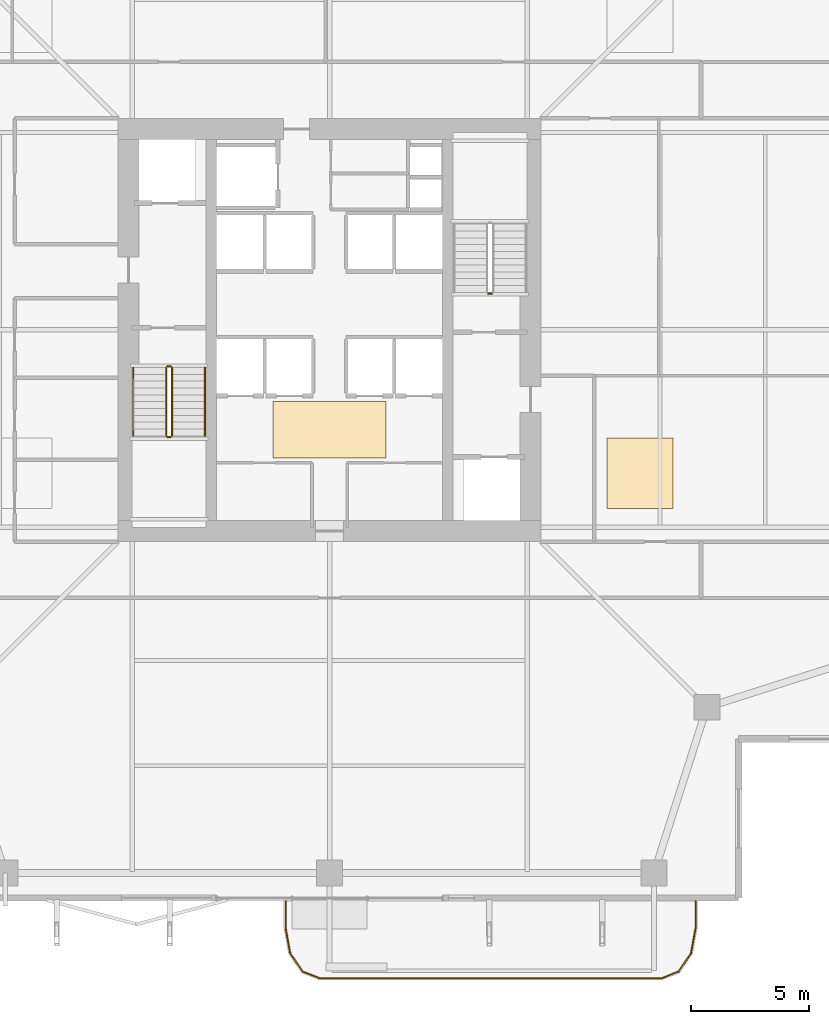
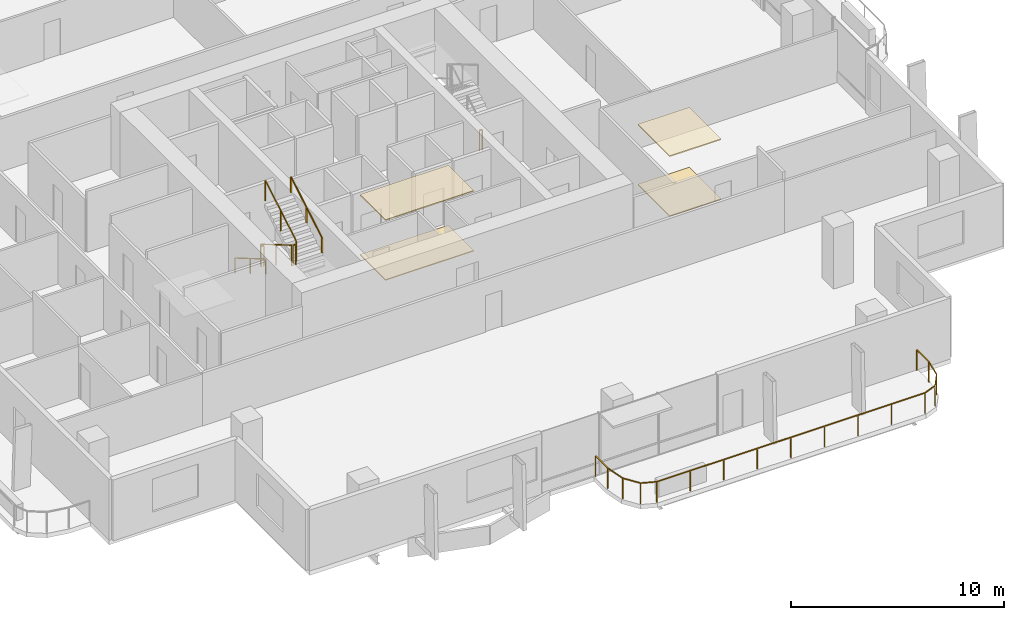
# One storey, part 23 of 25: 8 railings, 4 coverings.
"""IFC4 building model written with IfcOpenShell, lengths in metres."""

from ifc_helpers import new_model, si_unit, direction, frame, origin, origin_2d, place, context, subcontext, project, spatial, polyline, rectangle, outline, extrude, material, layer, layer_set, type_object, element, save


model = new_model("IFC4")

# Units and contexts
model_context = context("Model", 3, precision=1e-05, world=origin(), true_north=direction((0.0, 1.0)))
body_context = subcontext(model_context, "Body", "Model", "MODEL_VIEW")
ifc_project = project(units=[si_unit("LENGTHUNIT", "METRE"), si_unit("AREAUNIT", "SQUARE_METRE"), si_unit("VOLUMEUNIT", "CUBIC_METRE"), si_unit("PLANEANGLEUNIT", "RADIAN"), si_unit("MASSUNIT", "GRAM", prefix="KILO")], contexts=[model_context])

# Site, building, storey
site_placement = place(None, origin())
site = spatial("IfcSite", under=ifc_project, at=site_placement, CompositionType="ELEMENT")
building_placement = place(site_placement, origin())
building = spatial("IfcBuilding", under=site, at=building_placement, Name="Belovzor Exchange Tower", CompositionType="ELEMENT")
storey_placement = place(building_placement, frame((0.0, 0.0, 153.300048828125)))
storey = spatial("IfcBuildingStorey", under=building, at=storey_placement, Name="L37", CompositionType="ELEMENT", Elevation=153.300048828125)

# Railings
ifc_material_1 = material(Name="Stainless Steel Grade 304", Category="steel")
railing_type_1 = type_object("IfcRailingType", Name="Brushed Stainless Steel Stair Handrail 900", PredefinedType="HANDRAIL", material=ifc_material_1)
railing_1_placement = place(storey_placement, frame((20.449951171875, 27.199951171875, 0.17041015625)))
element("IfcRailing", 1, at=railing_1_placement, inside=storey, type_object=railing_type_1, Name="L37 ST-1 stair handrail 1", PredefinedType="HANDRAIL", context=body_context, shape_type="SweptSolid", body=[
    extrude(rectangle(XDim=0.048095703125, YDim=0.048095703125, at=origin_2d()), frame((0.0, 0.0, 0.8759765625), z_axis=(0.0, -0.86209462966, 0.506747323142), x_axis=(1.0, 0.0, 0.0)), (0.0, 0.0, 1.0), 3.36376953125),
    extrude(rectangle(XDim=0.0419921875, YDim=0.0419921875, at=origin_2d()), origin(), (0.0, 0.0, 1.0), 0.851806640625),
    extrude(rectangle(XDim=0.0419921875, YDim=0.0419921875, at=origin_2d()), frame((0.0, -1.449951171875, 0.852294921875)), (0.0, 0.0, 1.0), 0.851806640625),
    extrude(rectangle(XDim=0.0419921875, YDim=0.0419921875, at=origin_2d()), frame((0.0, -2.89990234375, 1.70458984375)), (0.0, 0.0, 1.0), 0.851806640625),
])
railing_2_placement = place(storey_placement, frame((23.5, 24.300048828125, 2.04541015625)))
element("IfcRailing", 2, at=railing_2_placement, inside=storey, type_object=railing_type_1, Name="L37 ST-1 stair handrail 2", PredefinedType="HANDRAIL", context=body_context, shape_type="SweptSolid", body=[
    extrude(rectangle(XDim=0.048095703125, YDim=0.048095703125, at=origin_2d()), frame((0.0, 0.0, 0.8759765625), z_axis=(0.0, 0.86209462966, 0.506747323142), x_axis=(-1.0, 0.0, 0.0)), (0.0, 0.0, 1.0), 3.36376953125),
    extrude(rectangle(XDim=0.0419921875, YDim=0.0419921875, at=origin_2d()), origin(), (0.0, 0.0, 1.0), 0.851806640625),
    extrude(rectangle(XDim=0.0419921875, YDim=0.0419921875, at=origin_2d()), frame((0.0, 1.449951171875, 0.852294921875)), (0.0, 0.0, 1.0), 0.851806640625),
    extrude(rectangle(XDim=0.0419921875, YDim=0.0419921875, at=origin_2d()), frame((0.0, 2.89990234375, 1.70458984375)), (0.0, 0.0, 1.0), 0.851806640625),
])
ifc_material_2 = material(Name="Stainless Steel and Laminated Safety Glass", Category="steel")
railing_type_2 = type_object("IfcRailingType", Name="Laminated Glass & Stainless Steel Balcony Balustrade 1200", PredefinedType="BALUSTRADE", material=ifc_material_2)
railing_3_placement = place(storey_placement, frame((26.929931640625, 4.489990234375, 0.0)))
element("IfcRailing", 3, at=railing_3_placement, inside=storey, type_object=railing_type_2, Name="GR-1 Balcony Balustrade L37 South", PredefinedType="BALUSTRADE", context=body_context, shape_type="SweptSolid", body=[
    extrude(rectangle(XDim=0.048095703125, YDim=0.048095703125, at=origin_2d()), frame((0.0, 0.0, 1.17578125), z_axis=(0.0, -1.0, 0.0), x_axis=(1.0, 0.0, 0.0)), (0.0, 0.0, 1.0), 1.133056640625),
    extrude(rectangle(XDim=0.048095703125, YDim=0.048095703125, at=origin_2d()), frame((0.0, -1.133056640625, 1.17578125), z_axis=(0.180122719713, -0.983644145941, 0.0), x_axis=(0.983644145941, 0.180122719713, 0.0)), (0.0, 0.0, 1.0), 1.09375),
    extrude(rectangle(XDim=0.048095703125, YDim=0.048095703125, at=origin_2d()), frame((0.197021484375, -2.208984375, 1.17578125), z_axis=(0.56294695933, -0.826493025367, 0.0), x_axis=(0.826493025367, 0.56294695933, 0.0)), (0.0, 0.0, 1.0), 0.932861328125),
    extrude(rectangle(XDim=0.048095703125, YDim=0.048095703125, at=origin_2d()), frame((0.72216796875, -2.97998046875, 1.17578125), z_axis=(0.930766990125, -0.365612923861, 0.0), x_axis=(0.365612923861, 0.930766990125, 0.0)), (0.0, 0.0, 1.0), 0.765869140625),
    extrude(rectangle(XDim=0.048095703125, YDim=0.048095703125, at=origin_2d()), frame((1.43505859375, -3.260009765625, 1.17578125), z_axis=(1.0, 0.0, 0.0), x_axis=(0.0, 1.0, 0.0)), (0.0, 0.0, 1.0), 14.570068359375),
    extrude(rectangle(XDim=0.048095703125, YDim=0.048095703125, at=origin_2d()), frame((16.005126953125, -3.260009765625, 1.17578125), z_axis=(0.930766990125, 0.365612923861, 0.0), x_axis=(-0.365612923861, 0.930766990125, 0.0)), (0.0, 0.0, 1.0), 0.765869140625),
    extrude(rectangle(XDim=0.048095703125, YDim=0.048095703125, at=origin_2d()), frame((16.718017578125, -2.97998046875, 1.17578125), z_axis=(0.56294695933, 0.826493025367, 0.0), x_axis=(-0.826493025367, 0.56294695933, 0.0)), (0.0, 0.0, 1.0), 0.932861328125),
    extrude(rectangle(XDim=0.048095703125, YDim=0.048095703125, at=origin_2d()), frame((17.2431640625, -2.208984375, 1.17578125), z_axis=(0.180122719713, 0.983644145941, 0.0), x_axis=(-0.983644145941, 0.180122719713, 0.0)), (0.0, 0.0, 1.0), 1.09375),
    extrude(rectangle(XDim=0.048095703125, YDim=0.048095703125, at=origin_2d()), frame((17.440185546875, -1.133056640625, 1.17578125), z_axis=(0.0, 1.0, 0.0), x_axis=(-1.0, 0.0, 0.0)), (0.0, 0.0, 1.0), 1.133056640625),
    extrude(rectangle(XDim=0.0419921875, YDim=0.0419921875, at=origin_2d()), origin(), (0.0, 0.0, 1.0), 1.15185546875),
    extrude(rectangle(XDim=0.0419921875, YDim=0.0419921875, at=origin_2d()), frame((0.0, -1.133056640625, 0.0)), (0.0, 0.0, 1.0), 1.15185546875),
    extrude(rectangle(XDim=0.0419921875, YDim=0.0419921875, at=origin_2d()), frame((0.197021484375, -2.208984375, 0.0)), (0.0, 0.0, 1.0), 1.15185546875),
    extrude(rectangle(XDim=0.0419921875, YDim=0.0419921875, at=origin_2d()), frame((0.72216796875, -2.97998046875, 0.0)), (0.0, 0.0, 1.0), 1.15185546875),
    extrude(rectangle(XDim=0.0419921875, YDim=0.0419921875, at=origin_2d()), frame((1.43505859375, -3.260009765625, 0.0)), (0.0, 0.0, 1.0), 1.15185546875),
    extrude(rectangle(XDim=0.0419921875, YDim=0.0419921875, at=origin_2d()), frame((3.25634765625, -3.260009765625, 0.0)), (0.0, 0.0, 1.0), 1.15185546875),
    extrude(rectangle(XDim=0.0419921875, YDim=0.0419921875, at=origin_2d()), frame((5.07763671875, -3.260009765625, 0.0)), (0.0, 0.0, 1.0), 1.15185546875),
    extrude(rectangle(XDim=0.0419921875, YDim=0.0419921875, at=origin_2d()), frame((6.89892578125, -3.260009765625, 0.0)), (0.0, 0.0, 1.0), 1.15185546875),
    extrude(rectangle(XDim=0.0419921875, YDim=0.0419921875, at=origin_2d()), frame((8.72021484375, -3.260009765625, 0.0)), (0.0, 0.0, 1.0), 1.15185546875),
    extrude(rectangle(XDim=0.0419921875, YDim=0.0419921875, at=origin_2d()), frame((10.541259765625, -3.260009765625, 0.0)), (0.0, 0.0, 1.0), 1.15185546875),
    extrude(rectangle(XDim=0.0419921875, YDim=0.0419921875, at=origin_2d()), frame((12.362548828125, -3.260009765625, 0.0)), (0.0, 0.0, 1.0), 1.15185546875),
    extrude(rectangle(XDim=0.0419921875, YDim=0.0419921875, at=origin_2d()), frame((14.183837890625, -3.260009765625, 0.0)), (0.0, 0.0, 1.0), 1.15185546875),
    extrude(rectangle(XDim=0.0419921875, YDim=0.0419921875, at=origin_2d()), frame((16.005126953125, -3.260009765625, 0.0)), (0.0, 0.0, 1.0), 1.15185546875),
    extrude(rectangle(XDim=0.0419921875, YDim=0.0419921875, at=origin_2d()), frame((16.718017578125, -2.97998046875, 0.0)), (0.0, 0.0, 1.0), 1.15185546875),
    extrude(rectangle(XDim=0.0419921875, YDim=0.0419921875, at=origin_2d()), frame((17.2431640625, -2.208984375, 0.0)), (0.0, 0.0, 1.0), 1.15185546875),
    extrude(rectangle(XDim=0.0419921875, YDim=0.0419921875, at=origin_2d()), frame((17.440185546875, -1.133056640625, 0.0)), (0.0, 0.0, 1.0), 1.15185546875),
    extrude(rectangle(XDim=0.0419921875, YDim=0.0419921875, at=origin_2d()), frame((17.440185546875, 0.0, 0.0)), (0.0, 0.0, 1.0), 1.15185546875),
])
ifc_material_3 = material(Name="Steel S355", Category="steel")
railing_type_3 = type_object("IfcRailingType", Name="Painted Steel Stairwell Guardrail 1200", PredefinedType="GUARDRAIL", material=ifc_material_3)
railing_4_placement = place(storey_placement, frame((21.85009765625, 27.199951171875, 0.17041015625)))
element("IfcRailing", 4, at=railing_4_placement, inside=storey, type_object=railing_type_3, Name="L37 ST-1 stair guard 1", PredefinedType="GUARDRAIL", context=body_context, shape_type="SweptSolid", body=[
    extrude(rectangle(XDim=0.048095703125, YDim=0.048095703125, at=origin_2d()), frame((0.0, 0.0, 1.17578125), z_axis=(0.0, -0.86209462966, 0.506747323142), x_axis=(1.0, 0.0, 0.0)), (0.0, 0.0, 1.0), 3.36376953125),
    extrude(rectangle(XDim=0.0419921875, YDim=0.0419921875, at=origin_2d()), origin(), (0.0, 0.0, 1.0), 1.15185546875),
    extrude(rectangle(XDim=0.0419921875, YDim=0.0419921875, at=origin_2d()), frame((0.0, -1.449951171875, 0.852294921875)), (0.0, 0.0, 1.0), 1.15185546875),
    extrude(rectangle(XDim=0.0419921875, YDim=0.0419921875, at=origin_2d()), frame((0.0, -2.89990234375, 1.70458984375)), (0.0, 0.0, 1.0), 1.15185546875),
])
railing_5_placement = place(storey_placement, frame((21.89990234375, 24.25, 1.875)))
element("IfcRailing", 5, at=railing_5_placement, inside=storey, type_object=railing_type_3, Name="L37 ST-1 stair guard 2", PredefinedType="GUARDRAIL", context=body_context, shape_type="SweptSolid", body=[
    extrude(rectangle(XDim=0.048095703125, YDim=0.048095703125, at=origin_2d()), frame((0.0, 0.0, 1.17578125), z_axis=(1.0, 0.0, 0.0), x_axis=(0.0, 1.0, 0.0)), (0.0, 0.0, 1.0), 0.150146484375),
    extrude(rectangle(XDim=0.0419921875, YDim=0.0419921875, at=origin_2d()), origin(), (0.0, 0.0, 1.0), 1.15185546875),
    extrude(rectangle(XDim=0.0419921875, YDim=0.0419921875, at=origin_2d()), frame((0.150146484375, 0.0, 0.0)), (0.0, 0.0, 1.0), 1.15185546875),
])
railing_6_placement = place(storey_placement, frame((22.10009765625, 24.300048828125, 2.04541015625)))
element("IfcRailing", 6, at=railing_6_placement, inside=storey, type_object=railing_type_3, Name="L37 ST-1 stair guard 3", PredefinedType="GUARDRAIL", context=body_context, shape_type="SweptSolid", body=[
    extrude(rectangle(XDim=0.048095703125, YDim=0.048095703125, at=origin_2d()), frame((0.0, 0.0, 1.17578125), z_axis=(0.0, 0.86209462966, 0.506747323142), x_axis=(-1.0, 0.0, 0.0)), (0.0, 0.0, 1.0), 3.36376953125),
    extrude(rectangle(XDim=0.0419921875, YDim=0.0419921875, at=origin_2d()), origin(), (0.0, 0.0, 1.0), 1.15185546875),
    extrude(rectangle(XDim=0.0419921875, YDim=0.0419921875, at=origin_2d()), frame((0.0, 1.449951171875, 0.852294921875)), (0.0, 0.0, 1.0), 1.15185546875),
    extrude(rectangle(XDim=0.0419921875, YDim=0.0419921875, at=origin_2d()), frame((0.0, 2.89990234375, 1.70458984375)), (0.0, 0.0, 1.0), 1.15185546875),
])
railing_7_placement = place(storey_placement, frame((21.89990234375, 27.25, 0.0)))
element("IfcRailing", 7, at=railing_7_placement, inside=storey, type_object=railing_type_3, Name="L37 ST-1 stair guard 4", PredefinedType="GUARDRAIL", context=body_context, shape_type="SweptSolid", body=[
    extrude(rectangle(XDim=0.048095703125, YDim=0.048095703125, at=origin_2d()), frame((0.0, 0.0, 1.17578125), z_axis=(1.0, 0.0, 0.0), x_axis=(0.0, 1.0, 0.0)), (0.0, 0.0, 1.0), 0.150146484375),
    extrude(rectangle(XDim=0.0419921875, YDim=0.0419921875, at=origin_2d()), origin(), (0.0, 0.0, 1.0), 1.15185546875),
    extrude(rectangle(XDim=0.0419921875, YDim=0.0419921875, at=origin_2d()), frame((0.150146484375, 0.0, 0.0)), (0.0, 0.0, 1.0), 1.15185546875),
])
railing_8_placement = place(storey_placement, frame((35.699951171875, 30.35009765625, 0.0)))
element("IfcRailing", 8, at=railing_8_placement, inside=storey, type_object=railing_type_3, Name="L37 ST-2 stair guard 4", PredefinedType="GUARDRAIL", context=body_context, shape_type="SweptSolid", body=[
    extrude(rectangle(XDim=0.048095703125, YDim=0.048095703125, at=origin_2d()), frame((0.0, 0.0, 1.17578125), z_axis=(-1.0, 0.0, 0.0), x_axis=(0.0, -1.0, 0.0)), (0.0, 0.0, 1.0), 0.14990234375),
    extrude(rectangle(XDim=0.0419921875, YDim=0.0419921875, at=origin_2d()), origin(), (0.0, 0.0, 1.0), 1.15185546875),
    extrude(rectangle(XDim=0.0419921875, YDim=0.0419921875, at=origin_2d()), frame((-0.14990234375, 0.0, 0.0)), (0.0, 0.0, 1.0), 1.15185546875),
])

# Coverings
ifc_material_4 = material(Name="Perforated Powder-Coated Aluminium", Category="aluminium")
ifc_layer_1 = layer(ifc_material_4, 0.06005859375)
ifc_layer_set_1 = layer_set([ifc_layer_1], Name="Perforated Powder-Coated Aluminium")
covering_type_1 = type_object("IfcCoveringType", Name="Perforated Acoustic Metal Tile Suspended Ceiling 60", PredefinedType="CEILING", material=ifc_layer_set_1)
covering_1_placement = place(storey_placement, frame((0.0, 0.0, 3.43505859375)))
element("IfcCovering", 9, at=covering_1_placement, inside=storey, type_object=covering_type_1, Name="CLG-AC60 Suspended Ceiling CLG-L37-LOB", PredefinedType="CEILING", context=body_context, shape_type="SweptSolid", body=[
    extrude(outline(polyline([(26.39990234375, 23.35009765625), (31.199951171875, 23.35009765625), (31.199951171875, 25.75), (26.39990234375, 25.75), (26.39990234375, 23.35009765625)])), origin(), (0.0, 0.0, 1.0), 0.059814453125),
])
covering_2_placement = place(storey_placement, frame((0.0, 0.0, 3.43505859375)))
element("IfcCovering", 10, at=covering_2_placement, inside=storey, type_object=covering_type_1, Name="CLG-AC60 Suspended Ceiling CLG-L37-Z0", PredefinedType="CEILING", context=body_context, shape_type="SweptSolid", body=[
    extrude(outline(polyline([(40.60009765625, 21.199951171875), (43.39990234375, 21.199951171875), (43.39990234375, 24.199951171875), (40.60009765625, 24.199951171875), (40.60009765625, 21.199951171875)])), origin(), (0.0, 0.0, 1.0), 0.059814453125),
])
ifc_material_5 = material(Name="Polished Natural Granite Tile", Category="masonry")
ifc_layer_2 = layer(ifc_material_5, 0.050048828125)
ifc_layer_set_2 = layer_set([ifc_layer_2], Name="Polished Natural Granite Tile")
covering_type_2 = type_object("IfcCoveringType", Name="Polished Karelian Granite & Raised Access Floor Finish 50", PredefinedType="FLOORING", material=ifc_layer_set_2)
covering_3_placement = place(storey_placement, origin())
element("IfcCovering", 11, at=covering_3_placement, inside=storey, type_object=covering_type_2, Name="FLR-GR50 Floor Finish FLR-L37-LOB", PredefinedType="FLOORING", context=body_context, shape_type="SweptSolid", body=[
    extrude(outline(polyline([(26.39990234375, 23.35009765625), (31.199951171875, 23.35009765625), (31.199951171875, 25.75), (26.39990234375, 25.75), (26.39990234375, 23.35009765625)])), origin(), (0.0, 0.0, 1.0), 0.050048828125),
])
covering_4_placement = place(storey_placement, origin())
element("IfcCovering", 12, at=covering_4_placement, inside=storey, type_object=covering_type_2, Name="FLR-GR50 Floor Finish FLR-L37-Z0", PredefinedType="FLOORING", context=body_context, shape_type="SweptSolid", body=[
    extrude(outline(polyline([(40.60009765625, 21.199951171875), (43.39990234375, 21.199951171875), (43.39990234375, 24.199951171875), (40.60009765625, 24.199951171875), (40.60009765625, 21.199951171875)])), origin(), (0.0, 0.0, 1.0), 0.050048828125),
])

save(model, "model.ifc")
